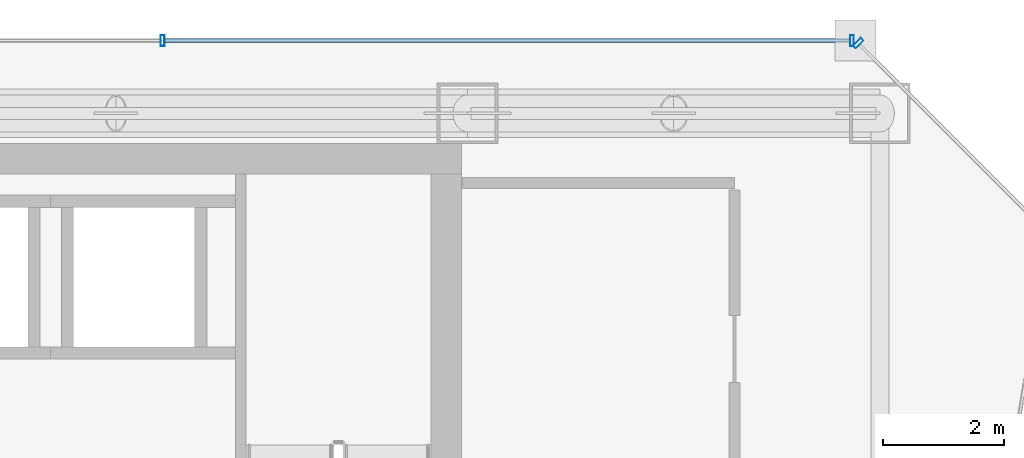
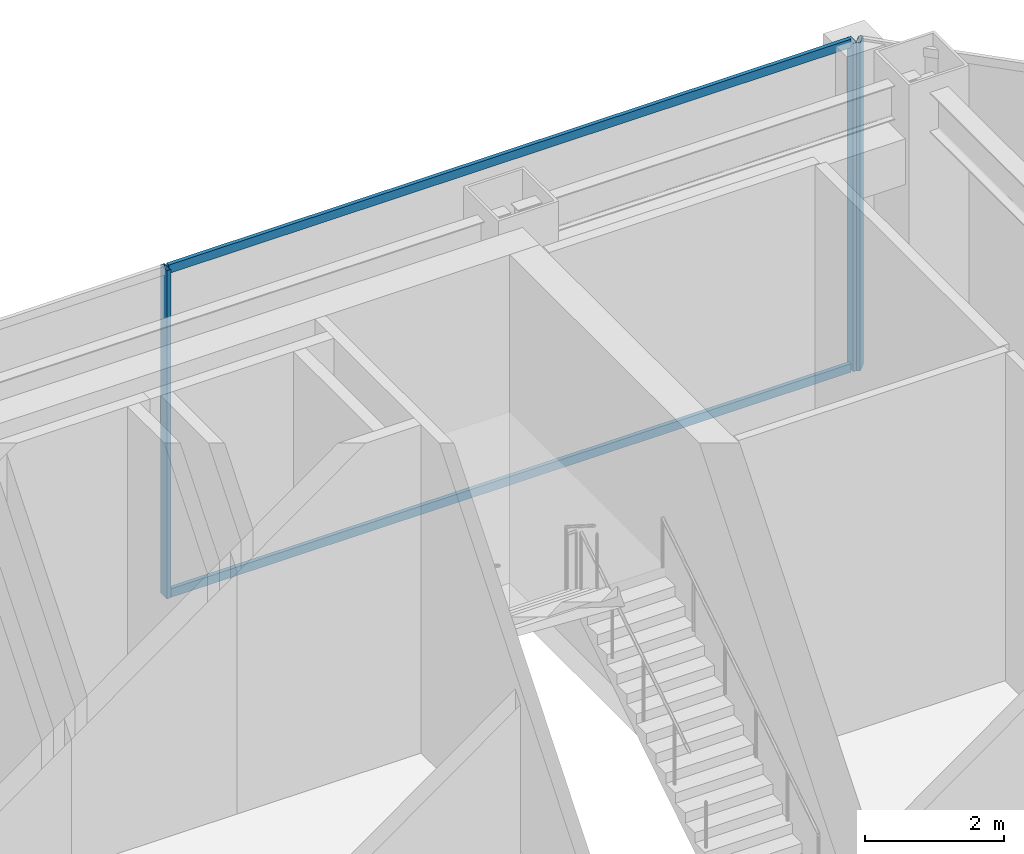
# One storey, part 23 of 30: 5 members, 2 elements without a shape of their own.
"""IFC4 building model written with IfcOpenShell, lengths in metres."""

from ifc_helpers import new_model, si_unit, direction, frame, origin, origin_2d, place, context, subcontext, project, spatial, hollow_rectangle, extrude, material, material_profile, profile_set, type_object, element, aggregate, save


model = new_model("IFC4")

# Units and contexts
model_context = context("Model", 3, precision=1e-05, world=origin(), true_north=direction((0.0, 1.0)))
body_context = subcontext(model_context, "Body", "Model", "MODEL_VIEW")
ifc_project = project(units=[si_unit("LENGTHUNIT", "METRE"), si_unit("AREAUNIT", "SQUARE_METRE"), si_unit("VOLUMEUNIT", "CUBIC_METRE"), si_unit("PLANEANGLEUNIT", "RADIAN"), si_unit("MASSUNIT", "GRAM", prefix="KILO")], contexts=[model_context])

# Site, building, storey
site_placement = place(None, origin())
site = spatial("IfcSite", under=ifc_project, at=site_placement, CompositionType="ELEMENT")
building_placement = place(site_placement, origin())
building = spatial("IfcBuilding", under=site, at=building_placement, Name="Saevonmaru Cultural Tower", CompositionType="ELEMENT")
storey_placement = place(building_placement, frame((0.0, 0.0, 123.60009765625)))
storey = spatial("IfcBuildingStorey", under=building, at=storey_placement, Name="L26", CompositionType="ELEMENT", Elevation=123.60009765625)

# Curtain wall, member
ifc_material = material(Name="Satin Bronze Anodised Aluminium", Category="aluminium")
curtain_wall_type = type_object("IfcCurtainWallType", Name="CW-TYP-A", PredefinedType="NOTDEFINED", material=ifc_material)
curtain_wall_1_placement = place(storey_placement, origin())
curtain_wall_1 = element("IfcCurtainWall", 1, at=curtain_wall_1_placement, inside=storey, type_object=curtain_wall_type, Name="L26 Wind-Floor Acoustic Louvre Screen E9", PredefinedType="NOTDEFINED")
ifc_material_profile_1 = material_profile(ifc_material, hollow_rectangle(XDim=0.06494140625, YDim=0.179931640625, WallThickness=0.00390625, at=origin_2d()), Name="ALU-MULL-180x65x4")
ifc_profile_set_1 = profile_set([ifc_material_profile_1], Name="Satin Bronze Anodised Aluminium")
member_type_1 = type_object("IfcMemberType", Name="ML-CW-180x65", PredefinedType="MULLION", material=ifc_profile_set_1)
member_1_placement = place(storey_placement, frame((52.84228515625, 55.95751953125, 0.0), z_axis=(0.0, 0.0, 1.0), x_axis=(-0.707106781187, 0.707106781187, 0.0)))
member_1 = element("IfcMember", 2, at=member_1_placement, type_object=member_type_1, Name="CW-TW-L26-E9 mullion 2", PredefinedType="MULLION", context=body_context, shape_type="SweptSolid", body=[
    extrude(hollow_rectangle(XDim=0.06494140625, YDim=0.179931640625, WallThickness=0.00390625, at=origin_2d()), origin(), (0.0, 0.0, 1.0), 5.75),
])
aggregate(curtain_wall_1, [member_1])

# Curtain wall, members
curtain_wall_2_placement = place(storey_placement, origin())
curtain_wall_2 = element("IfcCurtainWall", 3, at=curtain_wall_2_placement, inside=storey, type_object=curtain_wall_type, Name="L26 Wind-Floor Acoustic Louvre Screen E10", PredefinedType="NOTDEFINED")
member_2_placement = place(storey_placement, frame((52.739990234375, 56.0, 0.0), z_axis=(0.0, 0.0, 1.0), x_axis=(-1.0, 0.0, 0.0)))
member_2 = element("IfcMember", 4, at=member_2_placement, type_object=member_type_1, Name="CW-TW-L26-E10 mullion 1", PredefinedType="MULLION", context=body_context, shape_type="SweptSolid", body=[
    extrude(hollow_rectangle(XDim=0.06494140625, YDim=0.179931640625, WallThickness=0.00390625, at=origin_2d()), origin(), (0.0, 0.0, 1.0), 5.75),
])
member_3_placement = place(storey_placement, frame((41.3701171875, 56.0, 0.0), z_axis=(0.0, 0.0, 1.0), x_axis=(-1.0, 0.0, 0.0)))
member_3 = element("IfcMember", 5, at=member_3_placement, type_object=member_type_1, Name="CW-TW-L26-E10 mullion 2", PredefinedType="MULLION", context=body_context, shape_type="SweptSolid", body=[
    extrude(hollow_rectangle(XDim=0.06494140625, YDim=0.179931640625, WallThickness=0.00390625, at=origin_2d()), origin(), (0.0, 0.0, 1.0), 5.75),
])
ifc_material_profile_2 = material_profile(ifc_material, hollow_rectangle(XDim=0.06494140625, YDim=0.14990234375, WallThickness=0.00390625, at=origin_2d()), Name="ALU-TRAN-150x65x4")
ifc_profile_set_2 = profile_set([ifc_material_profile_2], Name="Satin Bronze Anodised Aluminium")
member_type_2 = type_object("IfcMemberType", Name="TR-CW-150x65", PredefinedType="USERDEFINED", material=ifc_profile_set_2)
member_4_placement = place(storey_placement, frame((52.70751953125, 56.0, 0.032470703125), z_axis=(-1.0, 0.0, 0.0), x_axis=(0.0, -1.0, 0.0)))
member_4 = element("IfcMember", 6, at=member_4_placement, type_object=member_type_2, Name="CW-TW-L26-E10 transom 1.1", ObjectType="TRANSOM", PredefinedType="USERDEFINED", context=body_context, shape_type="SweptSolid", body=[
    extrude(hollow_rectangle(XDim=0.06494140625, YDim=0.14990234375, WallThickness=0.00390625, at=origin_2d()), origin(), (0.0, 0.0, 1.0), 11.304931640625),
])
member_5_placement = place(storey_placement, frame((52.70751953125, 56.0, 5.71728515625), z_axis=(-1.0, 0.0, 0.0), x_axis=(0.0, -1.0, 0.0)))
member_5 = element("IfcMember", 7, at=member_5_placement, type_object=member_type_2, Name="CW-TW-L26-E10 transom 1.2", ObjectType="TRANSOM", PredefinedType="USERDEFINED", context=body_context, shape_type="SweptSolid", body=[
    extrude(hollow_rectangle(XDim=0.06494140625, YDim=0.14990234375, WallThickness=0.00390625, at=origin_2d()), origin(), (0.0, 0.0, 1.0), 11.304931640625),
])
aggregate(curtain_wall_2, [member_2, member_3, member_4, member_5])

save(model, "model.ifc")
